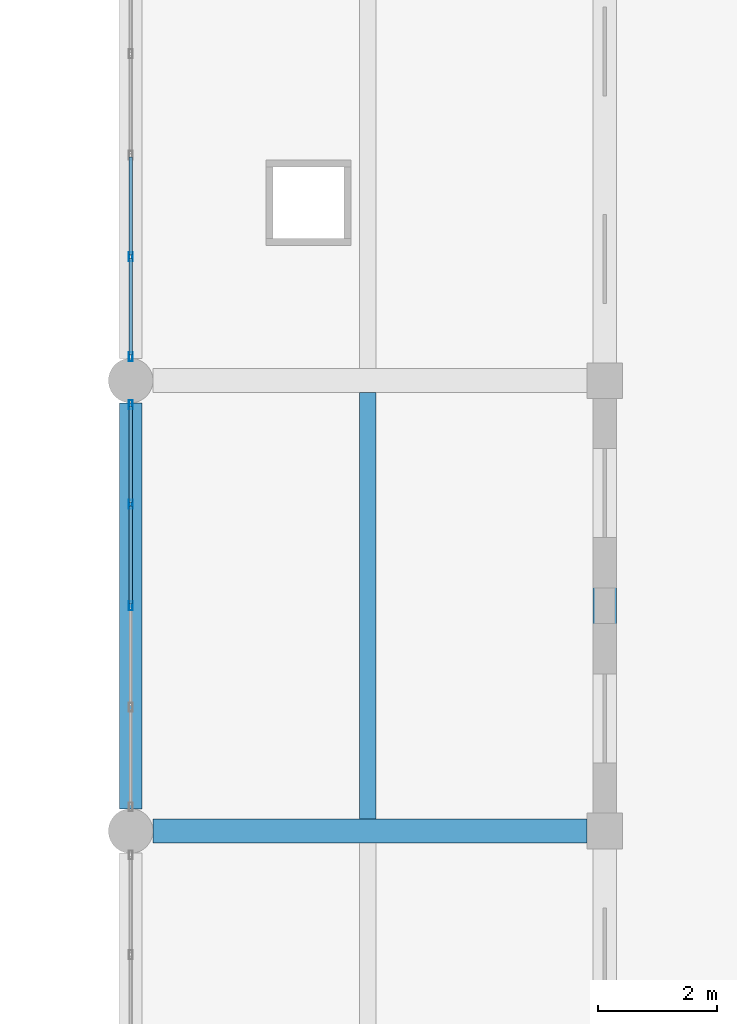
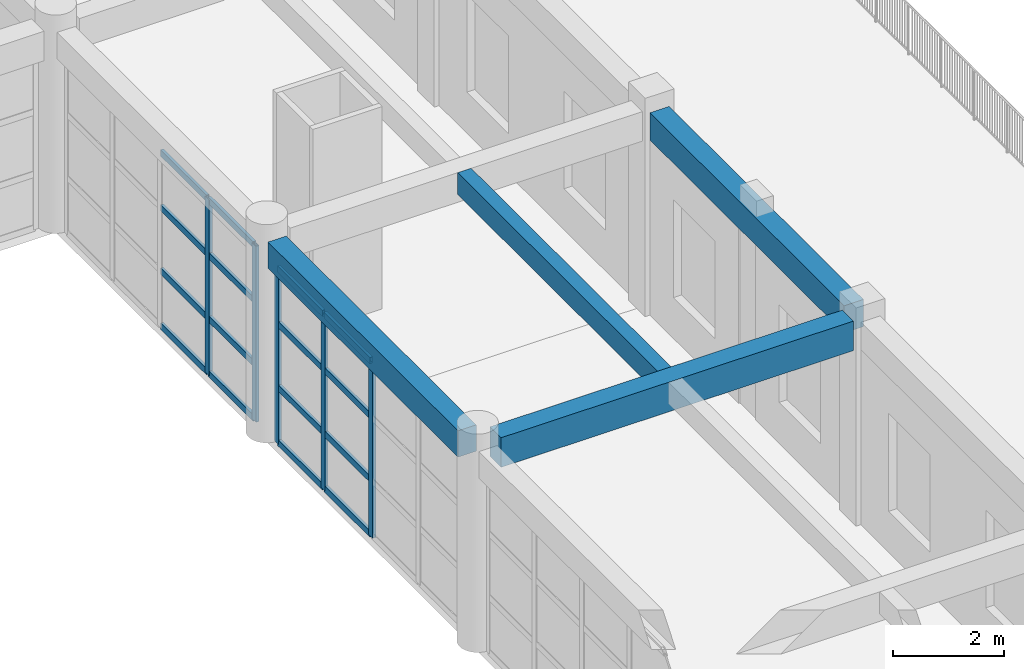
# One storey, part 54 of 101: 21 members, 4 beams, 2 elements without a shape of their own.
"""IFC4 building model written with IfcOpenShell, lengths in metres."""

from ifc_helpers import new_model, si_unit, direction, frame, origin, origin_2d, place, context, subcontext, project, spatial, rectangle, hollow_rectangle, extrude, material, material_profile, profile_set, type_object, element, aggregate, save


model = new_model("IFC4")

# Units and contexts
model_context = context("Model", 3, precision=1e-05, world=origin(), true_north=direction((0.0, 1.0)))
body_context = subcontext(model_context, "Body", "Model", "MODEL_VIEW")
ifc_project = project(units=[si_unit("LENGTHUNIT", "METRE"), si_unit("AREAUNIT", "SQUARE_METRE"), si_unit("VOLUMEUNIT", "CUBIC_METRE"), si_unit("PLANEANGLEUNIT", "RADIAN"), si_unit("MASSUNIT", "GRAM", prefix="KILO")], contexts=[model_context])

# Site, building, storey
site_placement = place(None, origin())
site = spatial("IfcSite", under=ifc_project, at=site_placement, CompositionType="ELEMENT")
building_placement = place(site_placement, origin())
building = spatial("IfcBuilding", under=site, at=building_placement, Name="Zantavel Square City Hall", CompositionType="ELEMENT")
storey_placement = place(building_placement, frame((0.0, 0.0, 5.39990234375)))
storey = spatial("IfcBuildingStorey", under=building, at=storey_placement, Name="L02", CompositionType="ELEMENT", Elevation=5.39990234375)

# Beam
ifc_material_1 = material(Name="Concrete C35/45", Category="concrete")
ifc_material_profile_1 = material_profile(ifc_material_1, rectangle(XDim=0.3798828125, YDim=0.580078125, at=origin_2d()), Name="RC 380x580")
ifc_profile_set_1 = profile_set([ifc_material_profile_1], Name="Concrete C35/45")
beam_type_1 = type_object("IfcBeamType", Name="Annex Secondary Beam RC 380x580 C35/45", PredefinedType="BEAM", material=ifc_profile_set_1)
beam_1_placement = place(storey_placement, frame((152.0, 53.574951171875, 4.16015625), z_axis=(0.0, 1.0, 0.0), x_axis=(-1.0, 0.0, 0.0)))
element("IfcBeam", 1, at=beam_1_placement, inside=storey, type_object=beam_type_1, Name="L02 Beam BMY-L02-1520-0532", PredefinedType="BEAM", context=body_context, shape_type="SweptSolid", body=[
    extrude(rectangle(XDim=0.3798828125, YDim=0.580078125, at=origin_2d()), origin(), (0.0, 0.0, 1.0), 6.85009765625),
])

# Curtain wall, members
ifc_material_2 = material(Name="Anodised aluminium 6063-T6", Category="aluminium")
curtain_wall_type = type_object("IfcCurtainWallType", Name="Curtain Wall CRT 6850x3870", PredefinedType="USERDEFINED", material=ifc_material_2)
curtain_wall_1_placement = place(storey_placement, origin())
curtain_wall_1 = element("IfcCurtainWall", 2, at=curtain_wall_1_placement, inside=storey, type_object=curtain_wall_type, Name="L02 Glazed Curtain Wall CW-L02-057", ObjectType="GLAZED CURTAIN WALL", PredefinedType="USERDEFINED")
ifc_material_profile_2 = material_profile(ifc_material_2, hollow_rectangle(XDim=0.06494140625, YDim=0.14990234375, WallThickness=0.00390625, at=origin_2d()), Name="ALU 65x150x4")
ifc_profile_set_2 = profile_set([ifc_material_profile_2], Name="Anodised aluminium 6063-T6")
member_type_1 = type_object("IfcMemberType", Name="CW Mullion ALU 65x150x4", PredefinedType="MULLION", material=ifc_profile_set_2)
member_1_placement = place(storey_placement, frame((152.0, 57.0, 0.0), z_axis=(0.0, 0.0, 1.0), x_axis=(-1.0, 0.0, 0.0)))
member_1 = element("IfcMember", 3, at=member_1_placement, type_object=member_type_1, Name="CW-057 mullion 3", PredefinedType="MULLION", context=body_context, shape_type="SweptSolid", body=[
    extrude(hollow_rectangle(XDim=0.06494140625, YDim=0.14990234375, WallThickness=0.00390625, at=origin_2d()), origin(), (0.0, 0.0, 1.0), 3.8701171875),
])
member_2_placement = place(storey_placement, frame((152.0, 58.71240234375, 0.0), z_axis=(0.0, 0.0, 1.0), x_axis=(-1.0, 0.0, 0.0)))
member_2 = element("IfcMember", 4, at=member_2_placement, type_object=member_type_1, Name="CW-057 mullion 4", PredefinedType="MULLION", context=body_context, shape_type="SweptSolid", body=[
    extrude(hollow_rectangle(XDim=0.06494140625, YDim=0.14990234375, WallThickness=0.00390625, at=origin_2d()), origin(), (0.0, 0.0, 1.0), 3.8701171875),
])
member_3_placement = place(storey_placement, frame((152.0, 60.39501953125, 0.0), z_axis=(0.0, 0.0, 1.0), x_axis=(-1.0, 0.0, 0.0)))
member_3 = element("IfcMember", 5, at=member_3_placement, type_object=member_type_1, Name="CW-057 mullion 5", PredefinedType="MULLION", context=body_context, shape_type="SweptSolid", body=[
    extrude(hollow_rectangle(XDim=0.06494140625, YDim=0.14990234375, WallThickness=0.00390625, at=origin_2d()), origin(), (0.0, 0.0, 1.0), 3.8701171875),
])

curtain_wall_2_placement = place(storey_placement, origin())
curtain_wall_2 = element("IfcCurtainWall", 6, at=curtain_wall_2_placement, inside=storey, type_object=curtain_wall_type, Name="L02 Glazed Curtain Wall CW-L02-058", ObjectType="GLAZED CURTAIN WALL", PredefinedType="USERDEFINED")
member_4_placement = place(storey_placement, frame((152.0, 61.205078125, 0.0), z_axis=(0.0, 0.0, 1.0), x_axis=(-1.0, 0.0, 0.0)))
member_4 = element("IfcMember", 7, at=member_4_placement, type_object=member_type_1, Name="CW-058 mullion 1", PredefinedType="MULLION", context=body_context, shape_type="SweptSolid", body=[
    extrude(hollow_rectangle(XDim=0.06494140625, YDim=0.14990234375, WallThickness=0.00390625, at=origin_2d()), origin(), (0.0, 0.0, 1.0), 3.8701171875),
])
member_5_placement = place(storey_placement, frame((152.0, 62.887451171875, 0.0), z_axis=(0.0, 0.0, 1.0), x_axis=(-1.0, 0.0, 0.0)))
member_5 = element("IfcMember", 8, at=member_5_placement, type_object=member_type_1, Name="CW-058 mullion 2", PredefinedType="MULLION", context=body_context, shape_type="SweptSolid", body=[
    extrude(hollow_rectangle(XDim=0.06494140625, YDim=0.14990234375, WallThickness=0.00390625, at=origin_2d()), origin(), (0.0, 0.0, 1.0), 3.8701171875),
])

# Member
ifc_material_profile_3 = material_profile(ifc_material_2, hollow_rectangle(XDim=0.06005859375, YDim=0.139892578125, WallThickness=0.00390625, at=origin_2d()), Name="ALU 60x140x4")
ifc_profile_set_3 = profile_set([ifc_material_profile_3], Name="Anodised aluminium 6063-T6")
member_type_2 = type_object("IfcMemberType", Name="CW Transom ALU 60x140x4", PredefinedType="USERDEFINED", material=ifc_profile_set_3)
member_6_placement = place(storey_placement, frame((152.0, 57.030029296875, 0.030029296875), z_axis=(0.0, 1.0, 0.0), x_axis=(-1.0, 0.0, 0.0)))
member_6 = element("IfcMember", 9, at=member_6_placement, type_object=member_type_2, Name="CW-057 transom 3.1", ObjectType="TRANSOM", PredefinedType="USERDEFINED", context=body_context, shape_type="SweptSolid", body=[
    extrude(hollow_rectangle(XDim=0.06005859375, YDim=0.139892578125, WallThickness=0.00390625, at=origin_2d()), origin(), (0.0, 0.0, 1.0), 1.652587890625),
])

member_7_placement = place(storey_placement, frame((152.0, 57.030029296875, 1.238037109375), z_axis=(0.0, 1.0, 0.0), x_axis=(-1.0, 0.0, 0.0)))
member_7 = element("IfcMember", 10, at=member_7_placement, type_object=member_type_2, Name="CW-057 transom 3.2", ObjectType="TRANSOM", PredefinedType="USERDEFINED", context=body_context, shape_type="SweptSolid", body=[
    extrude(hollow_rectangle(XDim=0.06005859375, YDim=0.139892578125, WallThickness=0.00390625, at=origin_2d()), origin(), (0.0, 0.0, 1.0), 1.652587890625),
])

member_8_placement = place(storey_placement, frame((152.0, 57.030029296875, 2.632080078125), z_axis=(0.0, 1.0, 0.0), x_axis=(-1.0, 0.0, 0.0)))
member_8 = element("IfcMember", 11, at=member_8_placement, type_object=member_type_2, Name="CW-057 transom 3.3", ObjectType="TRANSOM", PredefinedType="USERDEFINED", context=body_context, shape_type="SweptSolid", body=[
    extrude(hollow_rectangle(XDim=0.06005859375, YDim=0.139892578125, WallThickness=0.00390625, at=origin_2d()), origin(), (0.0, 0.0, 1.0), 1.652587890625),
])

member_9_placement = place(storey_placement, frame((152.0, 57.030029296875, 3.840087890625), z_axis=(0.0, 1.0, 0.0), x_axis=(-1.0, 0.0, 0.0)))
member_9 = element("IfcMember", 12, at=member_9_placement, type_object=member_type_2, Name="CW-057 transom 3.4", ObjectType="TRANSOM", PredefinedType="USERDEFINED", context=body_context, shape_type="SweptSolid", body=[
    extrude(hollow_rectangle(XDim=0.06005859375, YDim=0.139892578125, WallThickness=0.00390625, at=origin_2d()), origin(), (0.0, 0.0, 1.0), 1.652587890625),
])

member_10_placement = place(storey_placement, frame((152.0, 58.742431640625, 0.030029296875), z_axis=(0.0, 1.0, 0.0), x_axis=(-1.0, 0.0, 0.0)))
member_10 = element("IfcMember", 13, at=member_10_placement, type_object=member_type_2, Name="CW-057 transom 4.1", ObjectType="TRANSOM", PredefinedType="USERDEFINED", context=body_context, shape_type="SweptSolid", body=[
    extrude(hollow_rectangle(XDim=0.06005859375, YDim=0.139892578125, WallThickness=0.00390625, at=origin_2d()), origin(), (0.0, 0.0, 1.0), 1.62255859375),
])

member_11_placement = place(storey_placement, frame((152.0, 58.742431640625, 1.238037109375), z_axis=(0.0, 1.0, 0.0), x_axis=(-1.0, 0.0, 0.0)))
member_11 = element("IfcMember", 14, at=member_11_placement, type_object=member_type_2, Name="CW-057 transom 4.2", ObjectType="TRANSOM", PredefinedType="USERDEFINED", context=body_context, shape_type="SweptSolid", body=[
    extrude(hollow_rectangle(XDim=0.06005859375, YDim=0.139892578125, WallThickness=0.00390625, at=origin_2d()), origin(), (0.0, 0.0, 1.0), 1.62255859375),
])

member_12_placement = place(storey_placement, frame((152.0, 58.742431640625, 2.632080078125), z_axis=(0.0, 1.0, 0.0), x_axis=(-1.0, 0.0, 0.0)))
member_12 = element("IfcMember", 15, at=member_12_placement, type_object=member_type_2, Name="CW-057 transom 4.3", ObjectType="TRANSOM", PredefinedType="USERDEFINED", context=body_context, shape_type="SweptSolid", body=[
    extrude(hollow_rectangle(XDim=0.06005859375, YDim=0.139892578125, WallThickness=0.00390625, at=origin_2d()), origin(), (0.0, 0.0, 1.0), 1.62255859375),
])

member_13_placement = place(storey_placement, frame((152.0, 58.742431640625, 3.840087890625), z_axis=(0.0, 1.0, 0.0), x_axis=(-1.0, 0.0, 0.0)))
member_13 = element("IfcMember", 16, at=member_13_placement, type_object=member_type_2, Name="CW-057 transom 4.4", ObjectType="TRANSOM", PredefinedType="USERDEFINED", context=body_context, shape_type="SweptSolid", body=[
    extrude(hollow_rectangle(XDim=0.06005859375, YDim=0.139892578125, WallThickness=0.00390625, at=origin_2d()), origin(), (0.0, 0.0, 1.0), 1.62255859375),
])

aggregate(curtain_wall_1, [member_1, member_2, member_3, member_6, member_7, member_8, member_9, member_10, member_11, member_12, member_13])

member_14_placement = place(storey_placement, frame((152.0, 61.235107421875, 0.030029296875), z_axis=(0.0, 1.0, 0.0), x_axis=(-1.0, 0.0, 0.0)))
member_14 = element("IfcMember", 17, at=member_14_placement, type_object=member_type_2, Name="CW-058 transom 1.1", ObjectType="TRANSOM", PredefinedType="USERDEFINED", context=body_context, shape_type="SweptSolid", body=[
    extrude(hollow_rectangle(XDim=0.06005859375, YDim=0.139892578125, WallThickness=0.00390625, at=origin_2d()), origin(), (0.0, 0.0, 1.0), 1.622314453125),
])

member_15_placement = place(storey_placement, frame((152.0, 61.235107421875, 1.238037109375), z_axis=(0.0, 1.0, 0.0), x_axis=(-1.0, 0.0, 0.0)))
member_15 = element("IfcMember", 18, at=member_15_placement, type_object=member_type_2, Name="CW-058 transom 1.2", ObjectType="TRANSOM", PredefinedType="USERDEFINED", context=body_context, shape_type="SweptSolid", body=[
    extrude(hollow_rectangle(XDim=0.06005859375, YDim=0.139892578125, WallThickness=0.00390625, at=origin_2d()), origin(), (0.0, 0.0, 1.0), 1.622314453125),
])

member_16_placement = place(storey_placement, frame((152.0, 61.235107421875, 2.632080078125), z_axis=(0.0, 1.0, 0.0), x_axis=(-1.0, 0.0, 0.0)))
member_16 = element("IfcMember", 19, at=member_16_placement, type_object=member_type_2, Name="CW-058 transom 1.3", ObjectType="TRANSOM", PredefinedType="USERDEFINED", context=body_context, shape_type="SweptSolid", body=[
    extrude(hollow_rectangle(XDim=0.06005859375, YDim=0.139892578125, WallThickness=0.00390625, at=origin_2d()), origin(), (0.0, 0.0, 1.0), 1.622314453125),
])

member_17_placement = place(storey_placement, frame((152.0, 61.235107421875, 3.840087890625), z_axis=(0.0, 1.0, 0.0), x_axis=(-1.0, 0.0, 0.0)))
member_17 = element("IfcMember", 20, at=member_17_placement, type_object=member_type_2, Name="CW-058 transom 1.4", ObjectType="TRANSOM", PredefinedType="USERDEFINED", context=body_context, shape_type="SweptSolid", body=[
    extrude(hollow_rectangle(XDim=0.06005859375, YDim=0.139892578125, WallThickness=0.00390625, at=origin_2d()), origin(), (0.0, 0.0, 1.0), 1.622314453125),
])

member_18_placement = place(storey_placement, frame((152.0, 62.91748046875, 0.030029296875), z_axis=(0.0, 1.0, 0.0), x_axis=(-1.0, 0.0, 0.0)))
member_18 = element("IfcMember", 21, at=member_18_placement, type_object=member_type_2, Name="CW-058 transom 2.1", ObjectType="TRANSOM", PredefinedType="USERDEFINED", context=body_context, shape_type="SweptSolid", body=[
    extrude(hollow_rectangle(XDim=0.06005859375, YDim=0.139892578125, WallThickness=0.00390625, at=origin_2d()), origin(), (0.0, 0.0, 1.0), 1.652587890625),
])

member_19_placement = place(storey_placement, frame((152.0, 62.91748046875, 1.238037109375), z_axis=(0.0, 1.0, 0.0), x_axis=(-1.0, 0.0, 0.0)))
member_19 = element("IfcMember", 22, at=member_19_placement, type_object=member_type_2, Name="CW-058 transom 2.2", ObjectType="TRANSOM", PredefinedType="USERDEFINED", context=body_context, shape_type="SweptSolid", body=[
    extrude(hollow_rectangle(XDim=0.06005859375, YDim=0.139892578125, WallThickness=0.00390625, at=origin_2d()), origin(), (0.0, 0.0, 1.0), 1.652587890625),
])

member_20_placement = place(storey_placement, frame((152.0, 62.91748046875, 2.632080078125), z_axis=(0.0, 1.0, 0.0), x_axis=(-1.0, 0.0, 0.0)))
member_20 = element("IfcMember", 23, at=member_20_placement, type_object=member_type_2, Name="CW-058 transom 2.3", ObjectType="TRANSOM", PredefinedType="USERDEFINED", context=body_context, shape_type="SweptSolid", body=[
    extrude(hollow_rectangle(XDim=0.06005859375, YDim=0.139892578125, WallThickness=0.00390625, at=origin_2d()), origin(), (0.0, 0.0, 1.0), 1.652587890625),
])

member_21_placement = place(storey_placement, frame((152.0, 62.91748046875, 3.840087890625), z_axis=(0.0, 1.0, 0.0), x_axis=(-1.0, 0.0, 0.0)))
member_21 = element("IfcMember", 24, at=member_21_placement, type_object=member_type_2, Name="CW-058 transom 2.4", ObjectType="TRANSOM", PredefinedType="USERDEFINED", context=body_context, shape_type="SweptSolid", body=[
    extrude(hollow_rectangle(XDim=0.06005859375, YDim=0.139892578125, WallThickness=0.00390625, at=origin_2d()), origin(), (0.0, 0.0, 1.0), 1.652587890625),
])

aggregate(curtain_wall_2, [member_4, member_5, member_14, member_15, member_16, member_17, member_18, member_19, member_20, member_21])

# Beams
ifc_material_profile_4 = material_profile(ifc_material_1, rectangle(XDim=0.39990234375, YDim=0.64990234375, at=origin_2d()), Name="RC 400x650")
ifc_profile_set_4 = profile_set([ifc_material_profile_4], Name="Concrete C35/45")
beam_type_2 = type_object("IfcBeamType", Name="Frame Beam RC 400x650 C35/45", PredefinedType="BEAM", material=ifc_profile_set_4)
beam_2_placement = place(storey_placement, frame((152.375, 53.199951171875, 4.125), z_axis=(1.0, 0.0, 0.0), x_axis=(0.0, 1.0, 0.0)))
element("IfcBeam", 25, at=beam_2_placement, inside=storey, type_object=beam_type_2, Name="L02 Girder BMX-L02-1520-0532", PredefinedType="BEAM", context=body_context, shape_type="SweptSolid", body=[
    extrude(rectangle(XDim=0.39990234375, YDim=0.64990234375, at=origin_2d()), origin(), (0.0, 0.0, 1.0), 7.324951171875),
])
ifc_material_profile_5 = material_profile(ifc_material_1, rectangle(XDim=0.39990234375, YDim=0.60009765625, at=origin_2d()), Name="RC 400x600")
ifc_profile_set_5 = profile_set([ifc_material_profile_5], Name="Concrete C35/45")
beam_type_3 = type_object("IfcBeamType", Name="Perimeter Spandrel RC 400x600 C35/45", PredefinedType="SPANDREL", material=ifc_profile_set_5)
beam_3_placement = place(storey_placement, frame((160.0, 53.5, 4.150146484375), z_axis=(0.0, 1.0, 0.0), x_axis=(-1.0, 0.0, 0.0)))
element("IfcBeam", 26, at=beam_3_placement, inside=storey, type_object=beam_type_3, Name="L02 Beam BMY-L02-1600-0532", PredefinedType="SPANDREL", context=body_context, shape_type="SweptSolid", body=[
    extrude(rectangle(XDim=0.39990234375, YDim=0.60009765625, at=origin_2d()), origin(), (0.0, 0.0, 1.0), 7.0),
])
ifc_material_profile_6 = material_profile(ifc_material_1, rectangle(XDim=0.280029296875, YDim=0.47998046875, at=origin_2d()), Name="RC 280x480")
ifc_profile_set_6 = profile_set([ifc_material_profile_6], Name="Concrete C35/45")
beam_type_4 = type_object("IfcBeamType", Name="Terrace Deck Joist RC 280x480 C35/45", PredefinedType="JOIST", material=ifc_profile_set_6)
beam_4_placement = place(storey_placement, frame((156.0, 53.39990234375, 4.210205078125), z_axis=(0.0, 1.0, 0.0), x_axis=(-1.0, 0.0, 0.0)))
element("IfcBeam", 27, at=beam_4_placement, inside=storey, type_object=beam_type_4, Name="L02 Floor Joist JST-L02-1560-0532", PredefinedType="JOIST", context=body_context, shape_type="SweptSolid", body=[
    extrude(rectangle(XDim=0.280029296875, YDim=0.47998046875, at=origin_2d()), origin(), (0.0, 0.0, 1.0), 7.2001953125),
])

save(model, "model.ifc")
